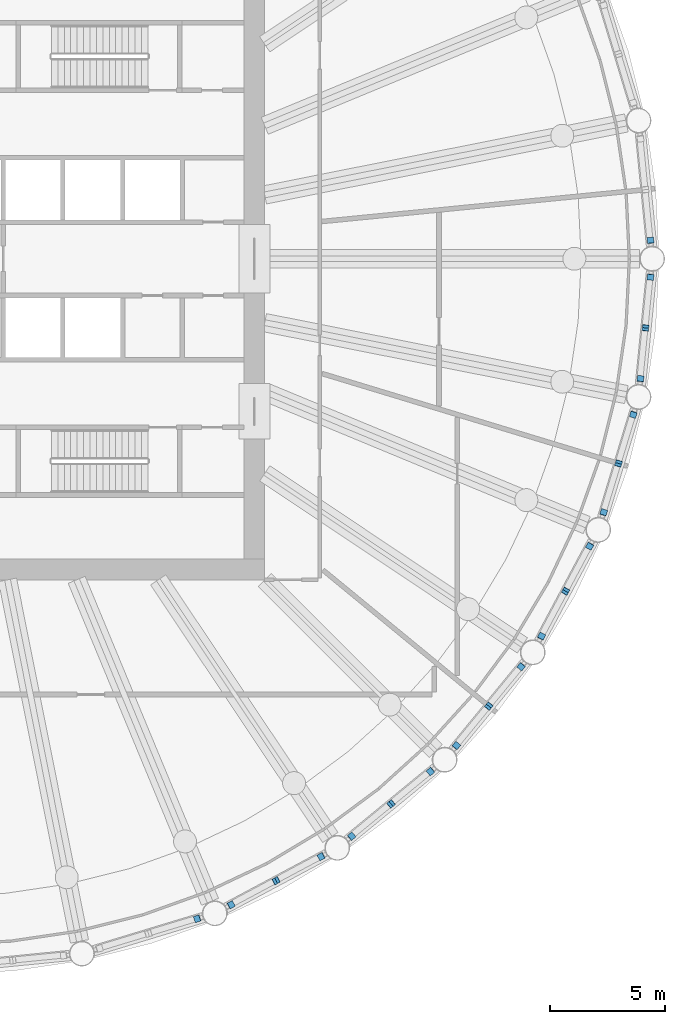
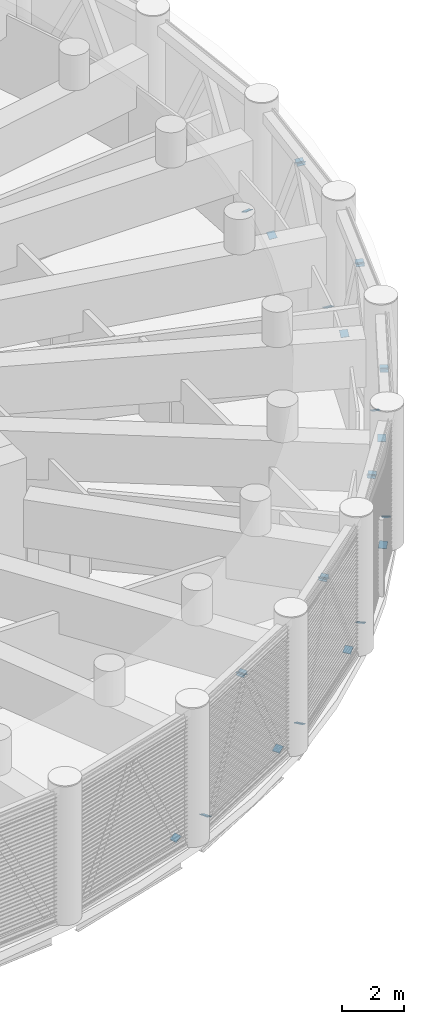
# One storey, part 13 of 23: 26 discrete accessories.
"""IFC4 building model written with IfcOpenShell, lengths in metres."""

from ifc_helpers import new_model, si_unit, direction, frame, origin, origin_2d, place, context, subcontext, project, spatial, rectangle, extrude, material, material_profile, profile_set, type_object, element, save


model = new_model("IFC4")

# Units and contexts
model_context = context("Model", 3, precision=1e-05, world=origin(), true_north=direction((0.0, 1.0)))
body_context = subcontext(model_context, "Body", "Model", "MODEL_VIEW")
ifc_project = project(units=[si_unit("LENGTHUNIT", "METRE"), si_unit("AREAUNIT", "SQUARE_METRE"), si_unit("VOLUMEUNIT", "CUBIC_METRE"), si_unit("PLANEANGLEUNIT", "RADIAN"), si_unit("MASSUNIT", "GRAM", prefix="KILO")], contexts=[model_context])

# Site, building, storey
site_placement = place(None, origin())
site = spatial("IfcSite", under=ifc_project, at=site_placement, CompositionType="ELEMENT")
building_placement = place(site_placement, origin())
building = spatial("IfcBuilding", under=site, at=building_placement, Name="Corvane Civic Tower", CompositionType="ELEMENT")
storey_placement = place(building_placement, frame((0.0, 0.0, 196.0)))
storey = spatial("IfcBuildingStorey", under=building, at=storey_placement, Name="L46", CompositionType="ELEMENT", Elevation=196.0)

# Discrete accessories
ifc_material = material(Name="Steel ASTM A572 Gr 50", Category="steel")
ifc_material_profile = material_profile(ifc_material, rectangle(XDim=0.2802734375, YDim=0.2802734375, at=origin_2d()), Name="GUSSET PLATE 25 IN HSS12X12X1/2")
ifc_profile_set = profile_set([ifc_material_profile], Name="Steel ASTM A572 Gr 50")
discrete_accessory_type = type_object("IfcDiscreteAccessoryType", Name="GUSSET PLATE 25 IN HSS12X12X1/2", PredefinedType="BRACKET", material=ifc_profile_set)
for number, where, z_axis, x_axis, name in (
    (1, (30.821533203125, 0.796142578125, 0.406494140625), (-0.048760187372, 0.458345761298, 0.887435410172), (-0.994388913179, -0.105786054594, 0.0), "Gusset plate BD1 end A"),
    (2, (30.821533203125, -0.796142578125, 0.406494140625), (-0.048760187372, -0.458345761298, 0.887435410172), (0.994388913179, -0.105786054594, 0.0), "Gusset plate BD1 end A"),
    (3, (30.60302734375, -3.01416015625, 4.74365234375), (0.048760187372, 0.458345761298, -0.887435410172), (-0.994388913179, 0.105786054594, 0.0), "Gusset plate BD1 end B"),
    (4, (30.384521484375, -5.232177734375, 0.406494140625), (0.048760187372, 0.458345761298, 0.887435410172), (-0.994388913179, 0.105786054594, 0.0), "Gusset plate BD1 end A"),
    (5, (30.60302734375, -3.01416015625, 4.74365234375), (-0.048760187372, -0.458345761298, -0.887435410172), (0.994388913179, -0.105786054594, 0.0), "Gusset plate BD1 end B"),
):
    element("IfcDiscreteAccessory", number, at=place(storey_placement, frame(where, z_axis=z_axis, x_axis=x_axis)), inside=storey, type_object=discrete_accessory_type, Name=name, PredefinedType="BRACKET", context=body_context, shape_type="SweptSolid", body=[
        extrude(rectangle(XDim=0.2802734375, YDim=0.2802734375, at=origin_2d()), origin(), (0.0, 0.0, 1.0), 0.025146484375),
    ])
for number, where, z_axis, x_axis, name in (
    (6, (30.073974609375, -6.7939453125, 0.406494140625), (-0.13661300007, -0.439113214512, 0.887984500457), (0.954856776331, -0.297066552636, 0.0), "Gusset plate BD1 end A"),
    (7, (29.427001953125, -8.9267578125, 4.74365234375), (0.13661300007, 0.439113214512, -0.887984500457), (-0.954856776331, 0.297066552636, 0.0), "Gusset plate BD1 end B"),
    (8, (28.780029296875, -11.059326171875, 0.406494140625), (0.137195574142, 0.431186090161, 0.891771231924), (-0.952925780013, 0.303203657277, 0.0), "Gusset plate BD1 end A"),
    (9, (29.427001953125, -8.9267578125, 4.74365234375), (-0.137195574142, -0.431186090161, -0.891771231924), (0.952925780013, -0.303203657277, 0.0), "Gusset plate BD1 end B"),
    (10, (28.170654296875, -12.530517578125, 0.406494140625), (-0.215252235283, -0.401151893027, 0.890361518669), (0.881160268064, -0.472817704815, 0.0), "Gusset plate BD1 end A"),
    (11, (27.1201171875, -14.49609375, 4.74365234375), (0.215252235283, 0.401151893027, -0.890361518669), (-0.881160268064, 0.472817704815, 0.0), "Gusset plate BD1 end B"),
    (12, (26.069580078125, -16.461669921875, 0.406494140625), (0.215252235283, 0.401151893027, 0.890361518669), (-0.881160268064, 0.472817704815, 0.0), "Gusset plate BD1 end A"),
    (13, (27.1201171875, -14.49609375, 4.74365234375), (-0.215252235283, -0.401151893027, -0.890361518669), (0.881160268064, -0.472817704815, 0.0), "Gusset plate BD1 end B"),
    (14, (25.184814453125, -17.78564453125, 0.406494140625), (-0.293091202516, -0.351709443019, 0.889043314299), (0.768221279597, -0.640184399664, 0.0), "Gusset plate BD1 end A"),
    (15, (23.77099609375, -19.50830078125, 4.74365234375), (0.293091202516, 0.351709443019, -0.889043314299), (-0.768221279597, 0.640184399664, 0.0), "Gusset plate BD1 end B"),
    (16, (22.357177734375, -21.231201171875, 0.406494140625), (0.293091202516, 0.351709443019, 0.889043314299), (-0.768221279597, 0.640184399664, 0.0), "Gusset plate BD1 end A"),
):
    element("IfcDiscreteAccessory", number, at=place(storey_placement, frame(where, z_axis=z_axis, x_axis=x_axis)), inside=storey, type_object=discrete_accessory_type, Name=name, PredefinedType="BRACKET", context=body_context, shape_type="SweptSolid", body=[
        extrude(rectangle(XDim=0.2802734375, YDim=0.2802734375, at=origin_2d()), origin(), (0.0, 0.0, 1.0), 0.02490234375),
    ])
discrete_accessory_1_placement = place(storey_placement, frame((23.77099609375, -19.50830078125, 4.74365234375), z_axis=(-0.292075430107, -0.360226363798, -0.88596213799), x_axis=(0.77675574872, -0.629801958421, 0.0)))
element("IfcDiscreteAccessory", 17, at=discrete_accessory_1_placement, inside=storey, type_object=discrete_accessory_type, Name="Gusset plate BD1 end B", PredefinedType="BRACKET", context=body_context, shape_type="SweptSolid", body=[
    extrude(rectangle(XDim=0.2802734375, YDim=0.2802734375, at=origin_2d()), origin(), (0.0, 0.0, 1.0), 0.025146484375),
])
discrete_accessory_2_placement = place(storey_placement, frame((21.231201171875, -22.357177734375, 0.406494140625), z_axis=(-0.351709443019, -0.293091202516, 0.889043314299), x_axis=(0.640184399664, -0.768221279597, 0.0)))
element("IfcDiscreteAccessory", 18, at=discrete_accessory_2_placement, inside=storey, type_object=discrete_accessory_type, Name="Gusset plate BD1 end A", PredefinedType="BRACKET", context=body_context, shape_type="SweptSolid", body=[
    extrude(rectangle(XDim=0.2802734375, YDim=0.2802734375, at=origin_2d()), origin(), (0.0, 0.0, 1.0), 0.02490234375),
])
discrete_accessory_3_placement = place(storey_placement, frame((19.50830078125, -23.77099609375, 4.74365234375), z_axis=(0.360226363798, 0.292075430107, -0.88596213799), x_axis=(-0.629801958421, 0.77675574872, 0.0)))
element("IfcDiscreteAccessory", 19, at=discrete_accessory_3_placement, inside=storey, type_object=discrete_accessory_type, Name="Gusset plate BD1 end B", PredefinedType="BRACKET", context=body_context, shape_type="SweptSolid", body=[
    extrude(rectangle(XDim=0.2802734375, YDim=0.2802734375, at=origin_2d()), origin(), (0.0, 0.0, 1.0), 0.025146484375),
])
for number, where, z_axis, x_axis, name in (
    (20, (17.78564453125, -25.184814453125, 0.406494140625), (0.351709443019, 0.293091202516, 0.889043314299), (-0.640184399664, 0.768221279597, 0.0), "Gusset plate BD1 end A"),
    (21, (19.50830078125, -23.77099609375, 4.74365234375), (-0.351709443019, -0.293091202516, -0.889043314299), (0.640184399664, -0.768221279597, 0.0), "Gusset plate BD1 end B"),
    (22, (16.461669921875, -26.069580078125, 0.406494140625), (-0.401151893027, -0.215252235283, 0.890361518669), (0.472817704815, -0.881160268064, 0.0), "Gusset plate BD1 end A"),
    (23, (14.49609375, -27.1201171875, 4.74365234375), (0.401151893027, 0.215252235283, -0.890361518669), (-0.472817704815, 0.881160268064, 0.0), "Gusset plate BD1 end B"),
    (24, (12.530517578125, -28.170654296875, 0.406494140625), (0.401151893027, 0.215252235283, 0.890361518669), (-0.472817704815, 0.881160268064, 0.0), "Gusset plate BD1 end A"),
    (25, (14.49609375, -27.1201171875, 4.74365234375), (-0.401151893027, -0.215252235283, -0.890361518669), (0.472817704815, -0.881160268064, 0.0), "Gusset plate BD1 end B"),
    (26, (11.059326171875, -28.780029296875, 0.406494140625), (-0.431186090161, -0.137195574142, 0.891771231924), (0.303203657277, -0.952925780013, 0.0), "Gusset plate BD1 end A"),
):
    element("IfcDiscreteAccessory", number, at=place(storey_placement, frame(where, z_axis=z_axis, x_axis=x_axis)), inside=storey, type_object=discrete_accessory_type, Name=name, PredefinedType="BRACKET", context=body_context, shape_type="SweptSolid", body=[
        extrude(rectangle(XDim=0.2802734375, YDim=0.2802734375, at=origin_2d()), origin(), (0.0, 0.0, 1.0), 0.02490234375),
    ])

save(model, "model.ifc")
